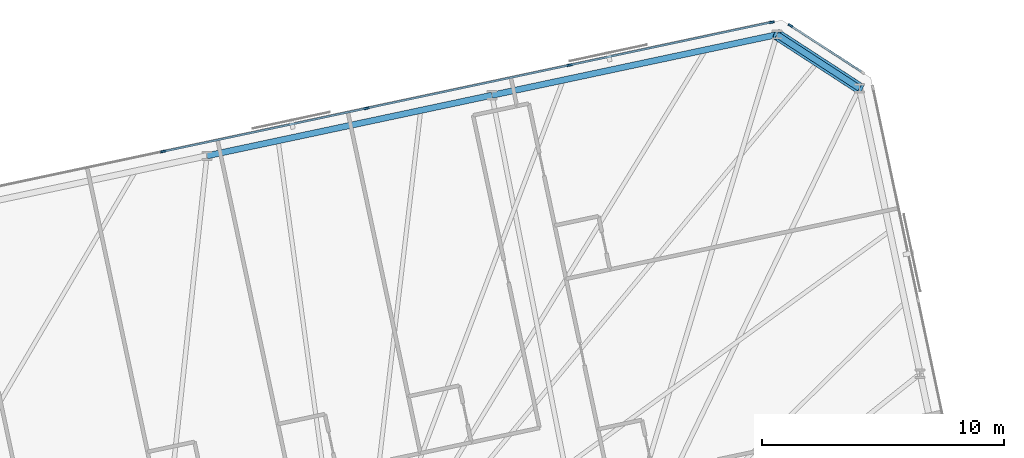
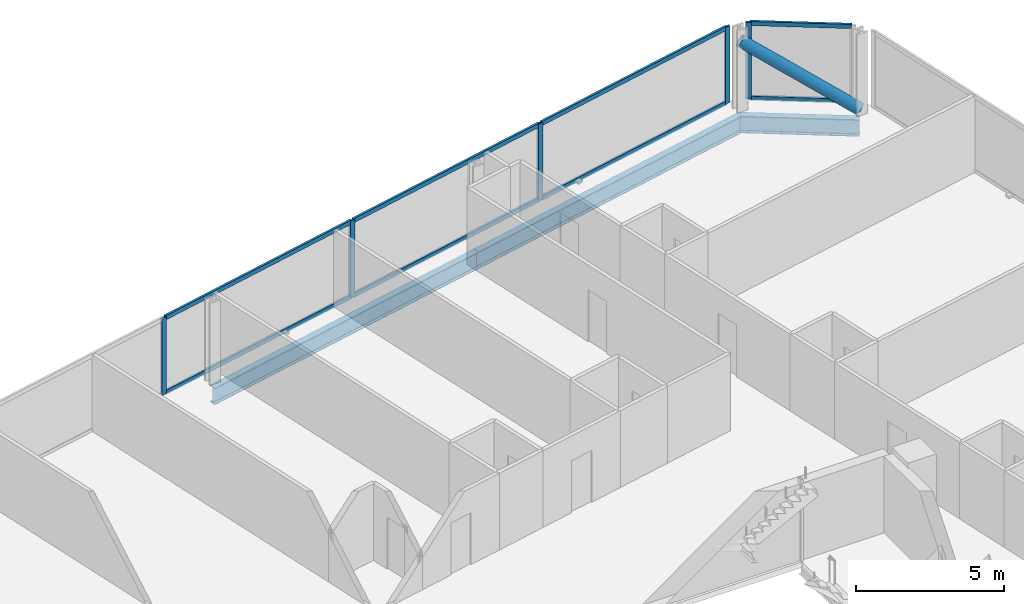
# One storey, part 11 of 20: 14 members, 3 beams, 2 elements without a shape of their own.
"""IFC4 building model written with IfcOpenShell, lengths in metres."""

import ifcopenshell
import ifcopenshell.guid

model = None  # the IFC model being written
_history = None  # IfcOwnerHistory: only IFC2X3 demands one
_inside = {}  # id of a spatial element -> (the spatial element, [elements in it])
_under = {}  # id of a project, library or spatial element -> (it, [spatial elements below it])
_declared = {}  # id of a project -> (the project, [libraries it declares])
_typed = {}  # id of a type object -> (the type object, [elements of that type])
_made_of = {}  # id of a material, layer set ... -> (it, [elements and type objects made of it])


def new_model(schema):
    """Start an empty IFC model of exactly this schema.

    Asked for "IFC4X3", IfcOpenShell would pick the latest addendum, in which some entities
    have other attributes; the version numbers below select the first issue.
    IFC2X3 requires an IfcOwnerHistory on every rooted entity: one is made here for all.
    """
    global model, _history
    if schema == "IFC4X3":
        model = ifcopenshell.file(schema_version=(4, 3, 0, 0))
    else:
        model = ifcopenshell.file(schema=schema)
    _inside.clear()
    _under.clear()
    _declared.clear()
    _typed.clear()
    _made_of.clear()
    _history = None
    if model.schema == "IFC2X3":
        org = make("IfcOrganization", Name="unknown")
        user = make(
            "IfcPersonAndOrganization",
            ThePerson=make("IfcPerson", FamilyName="unknown"),
            TheOrganization=org,
        )
        app = make(
            "IfcApplication",
            ApplicationDeveloper=org,
            Version="unknown",
            ApplicationFullName="unknown",
            ApplicationIdentifier="unknown",
        )
        _history = make(
            "IfcOwnerHistory",
            OwningUser=user,
            OwningApplication=app,
            ChangeAction="ADDED",
            CreationDate=0,
        )
    return model


def make(cls, **values):
    """One entity of the class cls with the attributes given. An attribute that is None is left unset."""
    return model.create_entity(
        cls, **{name: value for name, value in values.items() if value is not None}
    )


def rooted(cls, **values):
    """An entity with a GlobalId (a new one), such as an element, a storey or a relation."""
    return make(cls, GlobalId=ifcopenshell.guid.new(), OwnerHistory=_history, **values)


def si_unit(unit_type, name, prefix=None):
    """IfcSIUnit, for example si_unit("LENGTHUNIT", "METRE", prefix="MILLI")."""
    return make("IfcSIUnit", UnitType=unit_type, Prefix=prefix, Name=name)


def assignment(units):
    """IfcUnitAssignment: the units of a project."""
    return None if units is None else make("IfcUnitAssignment", Units=units)


def point(xyz):
    """IfcCartesianPoint."""
    return None if xyz is None else make("IfcCartesianPoint", Coordinates=xyz)


def direction(xyz):
    """IfcDirection."""
    return None if xyz is None else make("IfcDirection", DirectionRatios=xyz)


def frame(location, z_axis=None, x_axis=None):
    """IfcAxis2Placement3D, a coordinate frame: its origin and axes. An axis left out is left unset."""
    return make(
        "IfcAxis2Placement3D",
        Location=point(location),
        Axis=direction(z_axis),
        RefDirection=direction(x_axis),
    )


def frame_2d(location, x_axis=None):
    """IfcAxis2Placement2D, a coordinate frame in the plane: its origin and x axis."""
    return make(
        "IfcAxis2Placement2D", Location=point(location), RefDirection=direction(x_axis)
    )


def origin():
    """The frame at (0, 0, 0) with its axes left unset."""
    return frame((0.0, 0.0, 0.0))


def origin_2d():
    """The frame at (0, 0) in the plane with its x axis left unset."""
    return frame_2d((0.0, 0.0))


def place(relative_to, where):
    """IfcLocalPlacement: puts the frame where relative to a parent placement (None: the world)."""
    return make(
        "IfcLocalPlacement", PlacementRelTo=relative_to, RelativePlacement=where
    )


def context(
    kind, dimensions, precision=None, world=None, true_north=None, identifier=None
):
    """IfcGeometricRepresentationContext, for example the 3D "Model" context."""
    return make(
        "IfcGeometricRepresentationContext",
        ContextIdentifier=identifier,
        ContextType=kind,
        CoordinateSpaceDimension=dimensions,
        Precision=precision,
        WorldCoordinateSystem=world,
        TrueNorth=true_north,
    )


def subcontext(parent, identifier, kind, view, scale=None):
    """IfcGeometricRepresentationSubContext, for example "Body" below "Model"."""
    return make(
        "IfcGeometricRepresentationSubContext",
        ContextIdentifier=identifier,
        ContextType=kind,
        ParentContext=parent,
        TargetScale=scale,
        TargetView=view,
    )


def project(units=None, contexts=None):
    """IfcProject with its units and contexts."""
    return rooted(
        "IfcProject",
        Name="project",
        RepresentationContexts=contexts,
        UnitsInContext=assignment(units),
    )


def spatial(cls, under=None, at=None, **own):
    """A site, building, storey or space (cls), placed at a placement, below another one or the project."""
    s = rooted(cls, ObjectPlacement=at, **own)
    if under is not None:
        _under.setdefault(under.id(), (under, []))[1].append(s)
    return s


def profile(cls, at=None, kind="AREA", **sizes):
    """A parametric profile (cls). Its sizes go by their IFC names, for example OverallWidth=200.0."""
    return make(cls, ProfileType=kind, Position=at, **sizes)


def rectangle(**sizes):
    """IfcRectangleProfileDef."""
    return profile("IfcRectangleProfileDef", **sizes)


def hollow_circle(**sizes):
    """IfcCircleHollowProfileDef."""
    return profile("IfcCircleHollowProfileDef", **sizes)


def i_section(**sizes):
    """IfcIShapeProfileDef."""
    return profile("IfcIShapeProfileDef", **sizes)


def extrude(swept, where, along, depth):
    """IfcExtrudedAreaSolid: the profile swept, set in the frame where, extruded along a direction by depth."""
    return make(
        "IfcExtrudedAreaSolid",
        SweptArea=swept,
        Position=where,
        ExtrudedDirection=direction(along),
        Depth=depth,
    )


def shape(context_of_items, identifier, shape_type, items):
    """IfcShapeRepresentation: the items that make up one representation, for example the "Body"."""
    return make(
        "IfcShapeRepresentation",
        ContextOfItems=context_of_items,
        RepresentationIdentifier=identifier,
        RepresentationType=shape_type,
        Items=items,
    )


def material(Name=None, Category=None):
    """IfcMaterial."""
    return make("IfcMaterial", Name=Name, Category=Category)


def material_profile(
    of_material, cross_section, Name=None, Category=None, Priority=None
):
    """IfcMaterialProfile: a cross section and its material."""
    return make(
        "IfcMaterialProfile",
        Name=Name,
        Material=of_material,
        Profile=cross_section,
        Priority=Priority,
        Category=Category,
    )


def profile_set(profiles, Name=None, composite=None):
    """IfcMaterialProfileSet."""
    return make(
        "IfcMaterialProfileSet",
        Name=Name,
        MaterialProfiles=profiles,
        CompositeProfile=composite,
    )


def made_of(thing, what):
    """Note that an element or type object is made of a material, layer set ...; save() writes the relation."""
    if what is not None:
        _made_of.setdefault(what.id(), (what, []))[1].append(thing)
    return thing


def type_object(cls, material=None, **own):
    """A type object (cls), such as IfcWallType, which elements share."""
    return made_of(rooted(cls, **own), material)


def element(
    cls,
    number,
    at=None,
    inside=None,
    cuts=None,
    type_object=None,
    material=None,
    context=None,
    identifier="Body",
    shape_type=None,
    held_by="IfcProductDefinitionShape",
    body=None,
    shapes=None,
    **own,
):
    """One element of the class cls, such as IfcWall. Its Tag is "e" and its number.

    at: its placement. inside: the storey or other place that contains it. cuts: it is an
    opening in that element (IfcRelVoidsElement). A single representation is given by context,
    identifier, shape_type and body (its items); several are given by shapes. held_by: the class
    of the entity that holds the representations. save() writes the other relations.
    """
    e = rooted(cls, Tag="e%d" % number, ObjectPlacement=at, **own)
    if body is not None:
        shapes = [shape(context, identifier, shape_type, body)]
    if shapes is not None:
        e.Representation = make(held_by, Representations=shapes)
    if inside is not None:
        _inside.setdefault(inside.id(), (inside, []))[1].append(e)
    if cuts is not None:
        rooted(
            "IfcRelVoidsElement", RelatingBuildingElement=cuts, RelatedOpeningElement=e
        )
    if type_object is not None:
        _typed.setdefault(type_object.id(), (type_object, []))[1].append(e)
    return made_of(e, material)


def aggregate(whole, parts):
    """IfcRelAggregates: a whole, such as a stair, and the parts it consists of."""
    return rooted("IfcRelAggregates", RelatingObject=whole, RelatedObjects=parts)


def save(model, path):
    """Write the relations noted so far, then the file.

    IfcRelAggregates (storeys below a building ...), IfcRelContainedInSpatialStructure (elements
    in a storey), IfcRelDefinesByType, IfcRelAssociatesMaterial and IfcRelDeclares: one each for
    every whole, place, type object, material and project.
    """
    for whole, parts in _under.values():
        aggregate(whole, parts)
    for where, things in _inside.values():
        rooted(
            "IfcRelContainedInSpatialStructure",
            RelatedElements=things,
            RelatingStructure=where,
        )
    for kind, things in _typed.values():
        rooted("IfcRelDefinesByType", RelatedObjects=things, RelatingType=kind)
    for what, things in _made_of.values():
        rooted("IfcRelAssociatesMaterial", RelatedObjects=things, RelatingMaterial=what)
    for by, libraries in _declared.values():
        rooted("IfcRelDeclares", RelatingContext=by, RelatedDefinitions=libraries)
    model.write(path)


model = new_model("IFC4")

# Units and contexts
model_context = context("Model", 3, precision=1e-05, world=origin(), true_north=direction((0.0, 1.0)))
body_context = subcontext(model_context, "Body", "Model", "MODEL_VIEW")
ifc_project = project(units=[si_unit("LENGTHUNIT", "METRE"), si_unit("AREAUNIT", "SQUARE_METRE"), si_unit("VOLUMEUNIT", "CUBIC_METRE"), si_unit("PLANEANGLEUNIT", "RADIAN"), si_unit("MASSUNIT", "GRAM", prefix="KILO")], contexts=[model_context])

# Site, building, storey
site_placement = place(None, origin())
site = spatial("IfcSite", under=ifc_project, at=site_placement, CompositionType="ELEMENT")
building_placement = place(site_placement, origin())
building = spatial("IfcBuilding", under=site, at=building_placement, Name="Menara Jurai Vektor", CompositionType="ELEMENT")
storey_placement = place(building_placement, frame((0.0, 0.0, 158.199951171875)))
storey = spatial("IfcBuildingStorey", under=building, at=storey_placement, Name="L40", CompositionType="ELEMENT", Elevation=158.199951171875)

# Curtain wall, member
ifc_material_1 = material(Name="Anodised Pale Aluminium & Low-E Double Glazing", Category="aluminium")
curtain_wall_type = type_object("IfcCurtainWallType", Name="CW-BLK3", PredefinedType="NOTDEFINED", material=ifc_material_1)
curtain_wall_1_placement = place(storey_placement, origin())
curtain_wall_1 = element("IfcCurtainWall", 1, at=curtain_wall_1_placement, inside=storey, type_object=curtain_wall_type, Name="Unitised Curtain Wall L40 F04", PredefinedType="NOTDEFINED")
ifc_material_2 = material(Name="Anodised Pale Aluminium Mullion", Category="aluminium")
ifc_material_profile_1 = material_profile(ifc_material_2, rectangle(XDim=0.0849609375, YDim=0.205078125, at=origin_2d()), Name="ALU MUL 85x205")
ifc_profile_set_1 = profile_set([ifc_material_profile_1], Name="Anodised Pale Aluminium Mullion")
member_type_1 = type_object("IfcMemberType", Name="CW-BLK3-MUL", PredefinedType="MULLION", material=ifc_profile_set_1)
member_1_placement = place(storey_placement, frame((23.219970703125, 29.920654296875, 0.0), z_axis=(0.0, 0.0, 1.0), x_axis=(-0.544617794346, -0.838684361415, 0.0)))
member_1 = element("IfcMember", 2, at=member_1_placement, type_object=member_type_1, Name="CW-03 mullion 2", PredefinedType="MULLION", context=body_context, shape_type="SweptSolid", body=[
    extrude(rectangle(XDim=0.0849609375, YDim=0.205078125, at=origin_2d()), origin(), (0.0, 0.0, 1.0), 3.175048828125),
])

# Curtain wall, members
curtain_wall_2_placement = place(storey_placement, origin())
curtain_wall_2 = element("IfcCurtainWall", 3, at=curtain_wall_2_placement, inside=storey, type_object=curtain_wall_type, Name="Unitised Curtain Wall L40 F05", PredefinedType="NOTDEFINED")
member_2_placement = place(storey_placement, frame((22.452392578125, 30.062744140625, 0.0), z_axis=(0.0, 0.0, 1.0), x_axis=(0.207911344156, -0.978147674419, 0.0)))
member_2 = element("IfcMember", 4, at=member_2_placement, type_object=member_type_1, Name="CW-03 mullion 1", PredefinedType="MULLION", context=body_context, shape_type="SweptSolid", body=[
    extrude(rectangle(XDim=0.0849609375, YDim=0.205078125, at=origin_2d()), origin(), (0.0, 0.0, 1.0), 3.175048828125),
])
member_3_placement = place(storey_placement, frame((14.104248046875, 28.288330078125, 0.0), z_axis=(0.0, 0.0, 1.0), x_axis=(0.207911344156, -0.978147674419, 0.0)))
member_3 = element("IfcMember", 5, at=member_3_placement, type_object=member_type_1, Name="CW-03 mullion 2", PredefinedType="MULLION", context=body_context, shape_type="SweptSolid", body=[
    extrude(rectangle(XDim=0.0849609375, YDim=0.205078125, at=origin_2d()), origin(), (0.0, 0.0, 1.0), 3.175048828125),
])
member_4_placement = place(storey_placement, frame((5.71435546875, 26.505126953125, 0.0), z_axis=(0.0, 0.0, 1.0), x_axis=(0.207911344156, -0.978147674419, 0.0)))
member_4 = element("IfcMember", 6, at=member_4_placement, type_object=member_type_1, Name="CW-03 mullion 3", PredefinedType="MULLION", context=body_context, shape_type="SweptSolid", body=[
    extrude(rectangle(XDim=0.0849609375, YDim=0.205078125, at=origin_2d()), origin(), (0.0, 0.0, 1.0), 3.175048828125),
])
member_5_placement = place(storey_placement, frame((-2.67529296875, 24.721923828125, 0.0), z_axis=(0.0, 0.0, 1.0), x_axis=(0.207911344156, -0.978147674419, 0.0)))
member_5 = element("IfcMember", 7, at=member_5_placement, type_object=member_type_1, Name="CW-03 mullion 4", PredefinedType="MULLION", context=body_context, shape_type="SweptSolid", body=[
    extrude(rectangle(XDim=0.0849609375, YDim=0.205078125, at=origin_2d()), origin(), (0.0, 0.0, 1.0), 3.175048828125),
])

# Member
ifc_material_3 = material(Name="Anodised Pale Aluminium Transom", Category="aluminium")
ifc_material_profile_2 = material_profile(ifc_material_3, rectangle(XDim=0.0849609375, YDim=0.175048828125, at=origin_2d()), Name="ALU TRN 85x175")
ifc_profile_set_2 = profile_set([ifc_material_profile_2], Name="Anodised Pale Aluminium Transom")
member_type_2 = type_object("IfcMemberType", Name="CW-BLK3-TRN", PredefinedType="USERDEFINED", material=ifc_profile_set_2)
member_6_placement = place(storey_placement, frame((26.15234375, 28.016357421875, 0.04248046875), z_axis=(-0.83867770631, 0.54462804274, 0.0), x_axis=(-0.54462804274, -0.83867770631, 0.0)))
member_6 = element("IfcMember", 8, at=member_6_placement, type_object=member_type_2, Name="CW-03 transom 1.1", ObjectType="TRANSOM", PredefinedType="USERDEFINED", context=body_context, shape_type="SweptSolid", body=[
    extrude(rectangle(XDim=0.0849609375, YDim=0.175048828125, at=origin_2d()), origin(), (0.0, 0.0, 1.0), 3.453857421875),
])

member_7_placement = place(storey_placement, frame((26.15234375, 28.016357421875, 3.132568359375), z_axis=(-0.83867770631, 0.54462804274, 0.0), x_axis=(-0.54462804274, -0.83867770631, 0.0)))
member_7 = element("IfcMember", 9, at=member_7_placement, type_object=member_type_2, Name="CW-03 transom 1.2", ObjectType="TRANSOM", PredefinedType="USERDEFINED", context=body_context, shape_type="SweptSolid", body=[
    extrude(rectangle(XDim=0.0849609375, YDim=0.175048828125, at=origin_2d()), origin(), (0.0, 0.0, 1.0), 3.453857421875),
])

aggregate(curtain_wall_1, [member_1, member_6, member_7])

member_8_placement = place(storey_placement, frame((22.41064453125, 30.053955078125, 0.04248046875), z_axis=(-0.978151580361, -0.207892967261, 0.0), x_axis=(0.207892967261, -0.978151580361, 0.0)))
member_8 = element("IfcMember", 10, at=member_8_placement, type_object=member_type_2, Name="CW-03 transom 1.1", ObjectType="TRANSOM", PredefinedType="USERDEFINED", context=body_context, shape_type="SweptSolid", body=[
    extrude(rectangle(XDim=0.0849609375, YDim=0.175048828125, at=origin_2d()), origin(), (0.0, 0.0, 1.0), 8.449462890625),
])

member_9_placement = place(storey_placement, frame((22.41064453125, 30.053955078125, 3.132568359375), z_axis=(-0.978151580361, -0.207892967261, 0.0), x_axis=(0.207892967261, -0.978151580361, 0.0)))
member_9 = element("IfcMember", 11, at=member_9_placement, type_object=member_type_2, Name="CW-03 transom 1.2", ObjectType="TRANSOM", PredefinedType="USERDEFINED", context=body_context, shape_type="SweptSolid", body=[
    extrude(rectangle(XDim=0.0849609375, YDim=0.175048828125, at=origin_2d()), origin(), (0.0, 0.0, 1.0), 8.449462890625),
])

member_10_placement = place(storey_placement, frame((14.0625, 28.279541015625, 0.04248046875), z_axis=(-0.978146500933, -0.207916864907, 0.0), x_axis=(0.207916864907, -0.978146500933, 0.0)))
member_10 = element("IfcMember", 12, at=member_10_placement, type_object=member_type_2, Name="CW-03 transom 2.1", ObjectType="TRANSOM", PredefinedType="USERDEFINED", context=body_context, shape_type="SweptSolid", body=[
    extrude(rectangle(XDim=0.0849609375, YDim=0.175048828125, at=origin_2d()), origin(), (0.0, 0.0, 1.0), 8.491943359375),
])

member_11_placement = place(storey_placement, frame((14.0625, 28.279541015625, 3.132568359375), z_axis=(-0.978146500933, -0.207916864907, 0.0), x_axis=(0.207916864907, -0.978146500933, 0.0)))
member_11 = element("IfcMember", 13, at=member_11_placement, type_object=member_type_2, Name="CW-03 transom 2.2", ObjectType="TRANSOM", PredefinedType="USERDEFINED", context=body_context, shape_type="SweptSolid", body=[
    extrude(rectangle(XDim=0.0849609375, YDim=0.175048828125, at=origin_2d()), origin(), (0.0, 0.0, 1.0), 8.491943359375),
])

member_12_placement = place(storey_placement, frame((5.6728515625, 26.496337890625, 0.04248046875), z_axis=(-0.978147743708, -0.207911018178, 0.0), x_axis=(0.207911018178, -0.978147743708, 0.0)))
member_12 = element("IfcMember", 14, at=member_12_placement, type_object=member_type_2, Name="CW-03 transom 3.1", ObjectType="TRANSOM", PredefinedType="USERDEFINED", context=body_context, shape_type="SweptSolid", body=[
    extrude(rectangle(XDim=0.0849609375, YDim=0.175048828125, at=origin_2d()), origin(), (0.0, 0.0, 1.0), 8.4921875),
])

member_13_placement = place(storey_placement, frame((5.6728515625, 26.496337890625, 3.132568359375), z_axis=(-0.978147743708, -0.207911018178, 0.0), x_axis=(0.207911018178, -0.978147743708, 0.0)))
member_13 = element("IfcMember", 15, at=member_13_placement, type_object=member_type_2, Name="CW-03 transom 3.2", ObjectType="TRANSOM", PredefinedType="USERDEFINED", context=body_context, shape_type="SweptSolid", body=[
    extrude(rectangle(XDim=0.0849609375, YDim=0.175048828125, at=origin_2d()), origin(), (0.0, 0.0, 1.0), 8.4921875),
])

aggregate(curtain_wall_2, [member_2, member_3, member_4, member_5, member_8, member_9, member_10, member_11, member_12, member_13])

ifc_material_4 = material(Name="Steel S460", Category="steel")
ifc_material_profile_3 = material_profile(ifc_material_4, hollow_circle(Radius=0.228515625, WallThickness=0.01611328125, at=origin_2d()), Name="CHS 457x16")
ifc_profile_set_3 = profile_set([ifc_material_profile_3], Name="Steel S460")
member_type_3 = type_object("IfcMemberType", Name="STR-BR-457", PredefinedType="BRACE", material=ifc_profile_set_3)
member_14_placement = place(storey_placement, frame((26.0712890625, 27.33349609375, 0.150146484375), z_axis=(-0.700438157158, 0.454860613632, 0.549989281862), x_axis=(-0.544631249681, -0.838675623749, 0.0)))
element("IfcMember", 16, at=member_14_placement, inside=storey, type_object=member_type_3, Name="Exoskeleton Corner Brace L40-2", PredefinedType="BRACE", context=body_context, shape_type="SweptSolid", body=[
    extrude(hollow_circle(Radius=0.228515625, WallThickness=0.01611328125, at=origin_2d()), origin(), (0.0, 0.0, 1.0), 4.86328125),
])

# Beams
ifc_material_profile_4 = material_profile(ifc_material_4, i_section(OverallWidth=0.256103515625, OverallDepth=0.693115234375, WebThickness=0.013916015625, FlangeThickness=0.02392578125, FilletRadius=0.014892578125, at=origin_2d()), Name="UKB 686x254x170")
ifc_profile_set_4 = profile_set([ifc_material_profile_4], Name="Steel S460")
beam_type = type_object("IfcBeamType", Name="STR-SP-686", PredefinedType="SPANDREL", material=ifc_profile_set_4)
beam_1_placement = place(storey_placement, frame((26.0712890625, 27.33349609375, -0.571533203125), z_axis=(-0.838675623749, 0.544631249681, 0.0), x_axis=(-0.544631249681, -0.838675623749, 0.0)))
element("IfcBeam", 17, at=beam_1_placement, inside=storey, type_object=beam_type, Name="Exoskeleton Spandrel Beam L40-10", PredefinedType="SPANDREL", context=body_context, shape_type="SweptSolid", body=[
    extrude(i_section(OverallWidth=0.256103515625, OverallDepth=0.693115234375, WebThickness=0.013916015625, FlangeThickness=0.02392578125, FilletRadius=0.014892578125, at=origin_2d()), origin(), (0.0, 0.0, 1.0), 4.061767578125),
])
beam_2_placement = place(storey_placement, frame((22.664794921875, 29.545654296875, -0.571533203125), z_axis=(-0.978147039247, -0.207914332389, 0.0), x_axis=(0.207914332389, -0.978147039247, 0.0)))
element("IfcBeam", 18, at=beam_2_placement, inside=storey, type_object=beam_type, Name="Exoskeleton Spandrel Beam L40-11", PredefinedType="SPANDREL", context=body_context, shape_type="SweptSolid", body=[
    extrude(i_section(OverallWidth=0.256103515625, OverallDepth=0.693115234375, WebThickness=0.013916015625, FlangeThickness=0.02392578125, FilletRadius=0.014892578125, at=origin_2d()), origin(), (0.0, 0.0, 1.0), 12.03125),
])
beam_3_placement = place(storey_placement, frame((10.896484375, 27.044189453125, -0.571533203125), z_axis=(-0.978150288855, -0.207899043801, 0.0), x_axis=(0.207899043801, -0.978150288855, 0.0)))
element("IfcBeam", 19, at=beam_3_placement, inside=storey, type_object=beam_type, Name="Exoskeleton Spandrel Beam L40-12", PredefinedType="SPANDREL", context=body_context, shape_type="SweptSolid", body=[
    extrude(i_section(OverallWidth=0.256103515625, OverallDepth=0.693115234375, WebThickness=0.013916015625, FlangeThickness=0.02392578125, FilletRadius=0.014892578125, at=origin_2d()), origin(), (0.0, 0.0, 1.0), 12.031005859375),
])

save(model, "model.ifc")
